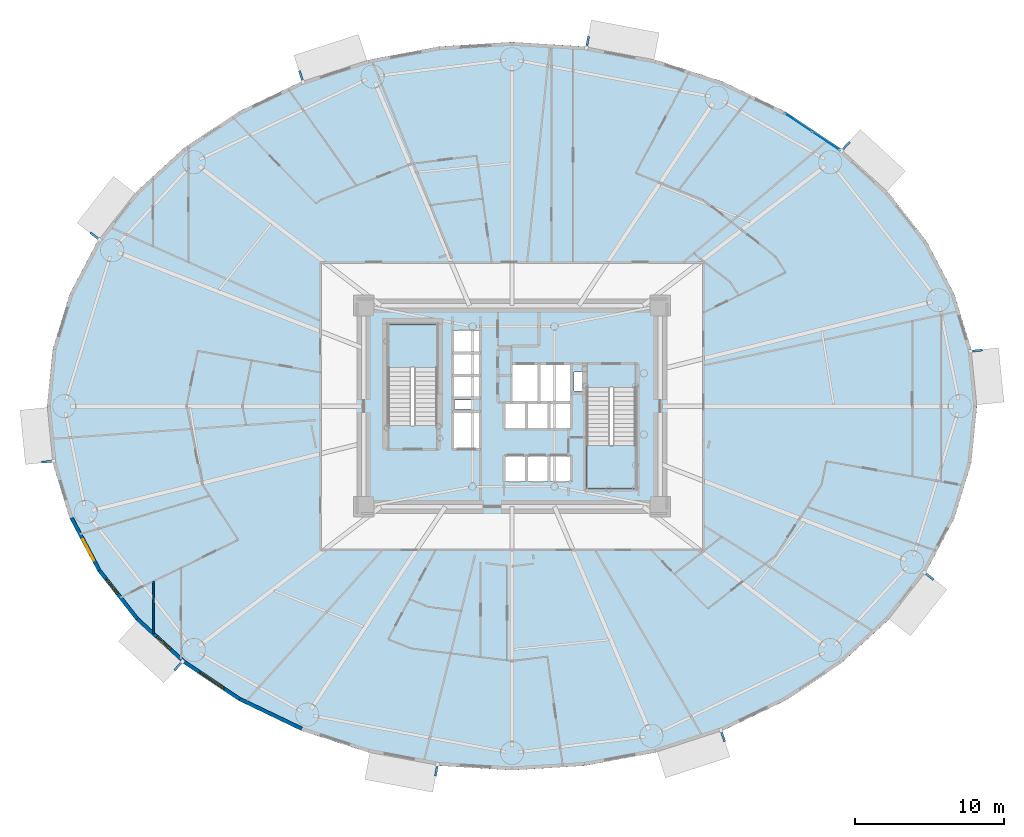
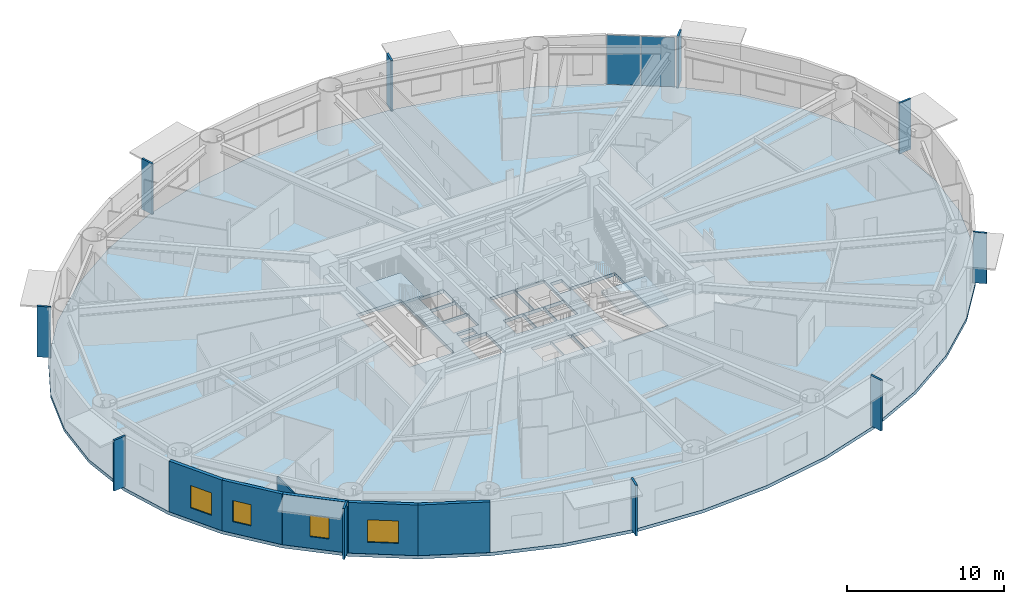
# One storey, part 6 of 20: 12 plates, 6 walls, 4 windows, 3 slabs, 4 openings, 3 elements without a shape of their own.
"""IFC4 building model written with IfcOpenShell, lengths in metres."""

from ifc_helpers import new_model, si_unit, direction, frame, frame_2d, origin, origin_2d, place, context, subcontext, project, spatial, polyline, rectangle, outline, extrude, source, transform, mapped, material, layer, layer_set, type_object, element, fill, aggregate, save


model = new_model("IFC4")

# Units and contexts
model_context = context("Model", 3, precision=1e-05, world=origin(), true_north=direction((0.0, 1.0)))
body_context = subcontext(model_context, "Body", "Model", "MODEL_VIEW")
ifc_project = project(units=[si_unit("LENGTHUNIT", "METRE"), si_unit("AREAUNIT", "SQUARE_METRE"), si_unit("VOLUMEUNIT", "CUBIC_METRE"), si_unit("PLANEANGLEUNIT", "RADIAN"), si_unit("MASSUNIT", "GRAM", prefix="KILO")], contexts=[model_context])

# Site, building, storey
site_placement = place(None, origin())
site = spatial("IfcSite", under=ifc_project, at=site_placement, CompositionType="ELEMENT")
building_placement = place(site_placement, origin())
building = spatial("IfcBuilding", under=site, at=building_placement, Name="Linh Dai School and Residence Tower", CompositionType="ELEMENT")
storey_placement = place(building_placement, frame((0.0, 0.0, 66.0)))
storey = spatial("IfcBuildingStorey", under=building, at=storey_placement, Name="L15", CompositionType="ELEMENT", Elevation=66.0)

# Slab
ifc_material_1 = material(Name="Concrete B45 (C35/45)", Category="concrete")
ifc_layer_1 = layer(ifc_material_1, 0.25)
ifc_layer_set_1 = layer_set([ifc_layer_1], Name="Concrete B45 (C35/45)")
slab_type_1 = type_object("IfcSlabType", Name="SLB-FLR250", PredefinedType="FLOOR", material=ifc_layer_set_1)
slab_1_placement = place(storey_placement, frame((0.0, 0.0, -0.25)))
element("IfcSlab", 1, at=slab_1_placement, inside=storey, type_object=slab_type_1, Name="L15 Composite Structural Floor Slab", PredefinedType="FLOOR", context=body_context, shape_type="SweptSolid", body=[
    extrude(outline(polyline([(67.199951171875, 27.0), (66.81591796875, 30.82177734375), (65.6728515625, 34.54931640625), (63.79931640625, 38.091064453125), (61.2412109375, 41.359619140625), (58.061767578125, 44.274658203125), (54.3388671875, 46.764404296875), (50.16455078125, 48.767333984375), (45.641357421875, 50.234375), (40.880859375, 51.129150390625), (36.0, 51.429931640625), (31.119140625, 51.129150390625), (26.358642578125, 50.234375), (21.83544921875, 48.767333984375), (17.6611328125, 46.764404296875), (13.938232421875, 44.274658203125), (10.7587890625, 41.359619140625), (8.20068359375, 38.091064453125), (6.3271484375, 34.54931640625), (5.18408203125, 30.82177734375), (4.800048828125, 27.0), (5.18408203125, 23.17822265625), (6.3271484375, 19.45068359375), (8.20068359375, 15.908935546875), (10.7587890625, 12.640380859375), (13.938232421875, 9.725341796875), (17.6611328125, 7.235595703125), (21.83544921875, 5.232666015625), (26.358642578125, 3.765625), (31.119140625, 2.870849609375), (36.0, 2.570068359375), (40.880859375, 2.870849609375), (45.641357421875, 3.765625), (50.16455078125, 5.232666015625), (54.3388671875, 7.235595703125), (58.061767578125, 9.725341796875), (61.2412109375, 12.640380859375), (63.79931640625, 15.908935546875), (65.6728515625, 19.45068359375), (66.81591796875, 23.17822265625), (67.199951171875, 27.0)]), holes=[polyline([(30.97998046875, 25.699951171875), (30.97998046875, 32.5), (27.679931640625, 32.5), (27.679931640625, 25.699951171875), (30.97998046875, 25.699951171875)]), polyline([(41.02001953125, 28.25), (41.02001953125, 21.449951171875), (44.320068359375, 21.449951171875), (44.320068359375, 28.25), (41.02001953125, 28.25)]), polyline([(35.97998046875, 27.280029296875), (37.77001953125, 27.280029296875), (37.77001953125, 29.820068359375), (35.97998046875, 29.820068359375), (35.97998046875, 27.280029296875)]), polyline([(32.030029296875, 24.1298828125), (33.8701171875, 24.1298828125), (33.8701171875, 26.6201171875), (32.030029296875, 26.6201171875), (32.030029296875, 24.1298828125)]), polyline([(37.830078125, 27.280029296875), (39.969970703125, 27.280029296875), (39.969970703125, 29.820068359375), (37.830078125, 29.820068359375), (37.830078125, 27.280029296875)]), polyline([(35.47998046875, 21.929931640625), (36.929931640625, 21.929931640625), (36.929931640625, 23.669921875), (35.47998046875, 23.669921875), (35.47998046875, 21.929931640625)]), polyline([(36.989990234375, 21.929931640625), (38.449951171875, 21.929931640625), (38.449951171875, 23.669921875), (36.989990234375, 23.669921875), (36.989990234375, 21.929931640625)]), polyline([(38.510009765625, 21.929931640625), (39.969970703125, 21.929931640625), (39.969970703125, 23.669921875), (38.510009765625, 23.669921875), (38.510009765625, 21.929931640625)]), polyline([(32.030029296875, 27.580078125), (33.8701171875, 27.580078125), (33.8701171875, 29.030029296875), (32.030029296875, 29.030029296875), (32.030029296875, 27.580078125)]), polyline([(32.030029296875, 29.090087890625), (33.8701171875, 29.090087890625), (33.8701171875, 30.550048828125), (32.030029296875, 30.550048828125), (32.030029296875, 29.090087890625)]), polyline([(32.030029296875, 30.610107421875), (33.8701171875, 30.610107421875), (33.8701171875, 32.070068359375), (32.030029296875, 32.070068359375), (32.030029296875, 30.610107421875)]), polyline([(35.47998046875, 25.47998046875), (36.929931640625, 25.47998046875), (36.929931640625, 27.219970703125), (35.47998046875, 27.219970703125), (35.47998046875, 25.47998046875)]), polyline([(36.989990234375, 25.47998046875), (38.449951171875, 25.47998046875), (38.449951171875, 27.219970703125), (36.989990234375, 27.219970703125), (36.989990234375, 25.47998046875)]), polyline([(38.510009765625, 25.47998046875), (39.969970703125, 25.47998046875), (39.969970703125, 27.219970703125), (38.510009765625, 27.219970703125), (38.510009765625, 25.47998046875)]), polyline([(40.14990234375, 28.0), (40.14990234375, 29.300048828125), (41.0, 29.300048828125), (41.0, 28.280029296875), (40.989990234375, 28.280029296875), (40.989990234375, 28.0), (40.14990234375, 28.0)]), polyline([(32.14990234375, 26.800048828125), (33.35009765625, 26.800048828125), (33.35009765625, 27.39990234375), (32.14990234375, 27.39990234375), (32.14990234375, 26.800048828125)])]), origin(), (0.0, 0.0, 1.0), 0.25),
])

# Stair, slab
stair_type = type_object("IfcStairType", Name="ST-DOG-1550-R1500", PredefinedType="HALF_TURN_STAIR", material=ifc_material_1)
stair_1_placement = place(storey_placement, origin())
stair_1 = element("IfcStair", 2, at=stair_1_placement, inside=storey, type_object=stair_type, Name="L15 Core Smokeproof Exit Stair ST1", PredefinedType="HALF_TURN_STAIR")
ifc_layer_2 = layer(ifc_material_1, 0.199951171875)
ifc_layer_set_2 = layer_set([ifc_layer_2], Name="Concrete B45 (C35/45)")
slab_type_2 = type_object("IfcSlabType", Name="SLB-ST-LANDING-200", PredefinedType="LANDING", material=ifc_layer_set_2)
slab_2_placement = place(storey_placement, frame((0.0, 0.0, 1.89990234375)))
slab_2 = element("IfcSlab", 3, at=slab_2_placement, type_object=slab_type_2, Name="ST1 landing 1", PredefinedType="LANDING", context=body_context, shape_type="SweptSolid", body=[
    extrude(outline(polyline([(30.97998046875, 29.60009765625), (30.97998046875, 32.5), (27.679931640625, 32.5), (27.679931640625, 29.60009765625), (30.97998046875, 29.60009765625)])), origin(), (0.0, 0.0, 1.0), 0.2001953125),
])
aggregate(stair_1, [slab_2])

stair_2_placement = place(storey_placement, origin())
stair_2 = element("IfcStair", 4, at=stair_2_placement, inside=storey, type_object=stair_type, Name="L15 Core Smokeproof Exit Stair ST2", PredefinedType="HALF_TURN_STAIR")
slab_3_placement = place(storey_placement, frame((0.0, 0.0, 1.89990234375)))
slab_3 = element("IfcSlab", 5, at=slab_3_placement, type_object=slab_type_2, Name="ST2 landing 1", PredefinedType="LANDING", context=body_context, shape_type="SweptSolid", body=[
    extrude(outline(polyline([(41.02001953125, 24.35009765625), (41.02001953125, 21.449951171875), (44.320068359375, 21.449951171875), (44.320068359375, 24.35009765625), (41.02001953125, 24.35009765625)])), origin(), (0.0, 0.0, 1.0), 0.2001953125),
])
aggregate(stair_2, [slab_3])

# Plates
ifc_material_2 = material(Name="Precast Concrete B45 (C35/45)", Category="concrete")
ifc_layer_3 = layer(ifc_material_2, 0.139892578125)
ifc_layer_set_3 = layer_set([ifc_layer_3], Name="Precast Concrete B45 (C35/45)")
plate_type_1 = type_object("IfcPlateType", Name="FIN-TC-900x140", PredefinedType="USERDEFINED", material=ifc_layer_set_3)
shared_shape_1 = source(origin(), body_context, "Body", "SweptSolid", [
    extrude(rectangle(XDim=0.89990234375, YDim=0.139892578125, at=origin_2d()), origin(), (0.0, 0.0, 1.0), 3.949951171875),
])
for number, where, z_axis, x_axis, name in (
    (6, (67.11328125, 30.718505859375, 0.0), (0.0, 0.0, 1.0), (0.994986493533, 0.100009387998, 0.0), "L15 Precast Terracotta Radial Fin 01"),
    (7, (58.35009765625, 44.397216796875, 0.0), (0.0, 0.0, 1.0), (0.675769237268, 0.737113246362, 0.0), "L15 Precast Terracotta Radial Fin 05"),
    (8, (41.05908203125, 51.385986328125, 0.0), (0.0, 0.0, 1.0), (0.184747948944, 0.982785935675, 0.0), "L15 Precast Terracotta Radial Fin 09"),
    (9, (21.869384765625, 49.078125, 0.0), (0.0, 0.0, 1.0), (-0.308510993844, 0.951220777043, 0.0), "L15 Precast Terracotta Radial Fin 13"),
    (10, (8.056396484375, 38.3701171875, 0.0), (0.0, 0.0, 1.0), (-0.787496262172, 0.616319427785, 0.0), "L15 Precast Terracotta Radial Fin 17"),
    (11, (4.88671875, 23.281494140625, 0.0), (0.0, 0.0, 1.0), (-0.994986493533, -0.100009387998, 0.0), "L15 Precast Terracotta Radial Fin 21"),
    (12, (13.64990234375, 9.602783203125, 0.0), (0.0, 0.0, 1.0), (-0.675769237268, -0.737113246362, 0.0), "L15 Precast Terracotta Radial Fin 25"),
    (13, (30.94091796875, 2.614013671875, 0.0), (0.0, 0.0, 1.0), (-0.184747948944, -0.982785935675, 0.0), "L15 Precast Terracotta Radial Fin 29"),
    (14, (50.130615234375, 4.921875, 0.0), (0.0, 0.0, 1.0), (0.308510993844, -0.951220777043, 0.0), "L15 Precast Terracotta Radial Fin 33"),
    (15, (63.943603515625, 15.6298828125, 0.0), (0.0, 0.0, 1.0), (0.787496262172, -0.616319427785, 0.0), "L15 Precast Terracotta Radial Fin 37"),
):
    element("IfcPlate", number, at=place(storey_placement, frame(where, z_axis=z_axis, x_axis=x_axis)), inside=storey, type_object=plate_type_1, Name=name, ObjectType="RADIAL FIN", PredefinedType="USERDEFINED", context=body_context, shape_type="MappedRepresentation", body=[
        mapped(shared_shape_1, transform((0.0, 0.0, 0.0), x_axis=(1.0, 0.0, 0.0), y_axis=(0.0, 1.0, 0.0), z_axis=(0.0, 0.0, 1.0), scale=1.0)),
    ])

# Curtain wall, plates
ifc_material_3 = material(Name="Aluminium Anodised Curtain Wall", Category="aluminium")
ifc_layer_4 = layer(ifc_material_3, 0.14990234375)
ifc_layer_set_4 = layer_set([ifc_layer_4], Name="Aluminium Anodised Curtain Wall")
curtain_wall_type = type_object("IfcCurtainWallType", Name="CW-SYS-4", PredefinedType="USERDEFINED", material=ifc_layer_set_4)
curtain_wall_placement = place(storey_placement, origin())
curtain_wall = element("IfcCurtainWall", 16, at=curtain_wall_placement, inside=storey, type_object=curtain_wall_type, Name="L15 CW4 Curtain Wall 06", ObjectType="RIBBON CURTAIN WALL", PredefinedType="USERDEFINED")
ifc_material_4 = material(Name="Double Low-E Insulated Glazing", Category="glass")
ifc_layer_5 = layer(ifc_material_4, 0.02587890625)
ifc_layer_set_5 = layer_set([ifc_layer_5], Name="Double Low-E Insulated Glazing")
plate_type_2 = type_object("IfcPlateType", Name="CW-SYS-4-PAN", PredefinedType="CURTAIN_PANEL", material=ifc_layer_set_5)
shared_shape_2 = source(origin(), body_context, "Body", "SweptSolid", [
    extrude(rectangle(XDim=2.152099609375, YDim=0.02587890625, at=origin_2d()), origin(), (0.0, 0.0, 1.0), 3.845947265625),
])
plate_1_placement = place(storey_placement, frame((55.21484375, 46.028564453125, 0.05224609375), z_axis=(0.0, 0.0, 1.0), x_axis=(0.831250578927, -0.555897899828, 0.0)))
plate_1 = element("IfcPlate", 17, at=plate_1_placement, type_object=plate_type_2, Name="CW4 panel 1.1", PredefinedType="CURTAIN_PANEL", context=body_context, shape_type="MappedRepresentation", body=[
    mapped(shared_shape_2, transform((0.0, 0.0, 0.0), x_axis=(1.0, 0.0, 0.0), y_axis=(0.0, 1.0, 0.0), z_axis=(0.0, 0.0, 1.0), scale=1.0)),
])
plate_2_placement = place(storey_placement, frame((57.046875, 44.80322265625, 0.05224609375), z_axis=(0.0, 0.0, 1.0), x_axis=(0.831250578927, -0.555897899828, 0.0)))
plate_2 = element("IfcPlate", 18, at=plate_2_placement, type_object=plate_type_2, Name="CW4 panel 2.1", PredefinedType="CURTAIN_PANEL", context=body_context, shape_type="MappedRepresentation", body=[
    mapped(shared_shape_2, transform((0.0, 0.0, 0.0), x_axis=(1.0, 0.0, 0.0), y_axis=(0.0, 1.0, 0.0), z_axis=(0.0, 0.0, 1.0), scale=1.0)),
])
aggregate(curtain_wall, [plate_1, plate_2])

# Wall, opening, window
ifc_layer_6 = layer(ifc_material_2, 0.239990234375)
ifc_layer_set_6 = layer_set([ifc_layer_6], Name="Precast Concrete B45 (C35/45)")
wall_type_1 = type_object("IfcWallType", Name="EW-TC-240", PredefinedType="SOLIDWALL", material=ifc_layer_set_6)
wall_1_placement = place(storey_placement, frame((8.305419921875, 15.977294921875, 0.0), z_axis=(0.0, 0.0, 1.0), x_axis=(-0.467662443071, 0.883907144072, 0.0)))
wall_1 = element("IfcWall", 19, at=wall_1_placement, inside=storey, type_object=wall_type_1, Name="L15 Terracotta Exterior Wall 23", PredefinedType="SOLIDWALL", context=body_context, shape_type="SweptSolid", body=[
    extrude(rectangle(XDim=3.983642578125, YDim=0.239990234375, at=frame_2d((1.99169921875, 0.0))), origin(), (0.0, 0.0, 1.0), 3.949951171875),
])
opening_1_placement = place(wall_1_placement, frame((0.760498046875, 0.0, 0.89990234375)))
opening_1 = element("IfcOpeningElement", 20, at=opening_1_placement, cuts=wall_1, Name="Opening W2", PredefinedType="OPENING", context=body_context, shape_type="SweptSolid", body=[
    extrude(rectangle(XDim=1.60009765625, YDim=1.75, at=origin_2d()), frame((0.800048828125, 0.1298828125, 0.875), z_axis=(0.0, -1.0, 0.0), x_axis=(1.0, 0.0, 0.0)), (0.0, 0.0, 1.0), 0.260009765625),
])
window_type_1 = type_object("IfcWindowType", Name="WN-RES-1600x1750", PartitioningType="DOUBLE_PANEL_VERTICAL", PredefinedType="WINDOW", material=ifc_material_4)
shared_shape_3 = source(origin(), body_context, "Body", "SweptSolid", [
    extrude(rectangle(XDim=1.60009765625, YDim=1.75, at=origin_2d()), frame((0.800048828125, 0.030029296875, 0.875), z_axis=(0.0, -1.0, 0.0), x_axis=(1.0, 0.0, 0.0)), (0.0, 0.0, 1.0), 0.06005859375),
])
window_1_placement = place(opening_1_placement, origin())
window_1 = element("IfcWindow", 21, at=window_1_placement, inside=storey, type_object=window_type_1, Name="L15 Exterior Window 23.1", OverallHeight=1.75, OverallWidth=1.60009765625, PartitioningType="DOUBLE_PANEL_VERTICAL", PredefinedType="WINDOW", context=body_context, shape_type="MappedRepresentation", body=[
    mapped(shared_shape_3, transform((0.0, 0.0, 0.0), x_axis=(1.0, 0.0, 0.0), y_axis=(0.0, 1.0, 0.0), z_axis=(0.0, 0.0, 1.0), scale=1.0)),
])
fill(opening_1, window_1)

wall_2_placement = place(storey_placement, frame((10.850341796875, 12.725341796875, 0.0), z_axis=(0.0, 0.0, 1.0), x_axis=(-0.616295508253, 0.787514981767, 0.0)))
wall_2 = element("IfcWall", 22, at=wall_2_placement, inside=storey, type_object=wall_type_1, Name="L15 Terracotta Exterior Wall 24", PredefinedType="SOLIDWALL", context=body_context, shape_type="SweptSolid", body=[
    extrude(rectangle(XDim=4.12939453125, YDim=0.239990234375, at=frame_2d((2.064697265625, 0.0))), origin(), (0.0, 0.0, 1.0), 3.949951171875),
])
opening_2_placement = place(wall_2_placement, frame((2.14501953125, 0.0, 0.89990234375)))
opening_2 = element("IfcOpeningElement", 23, at=opening_2_placement, cuts=wall_2, Name="Opening W3", PredefinedType="OPENING", context=body_context, shape_type="SweptSolid", body=[
    extrude(rectangle(XDim=1.25, YDim=1.64990234375, at=origin_2d()), frame((0.625, 0.1298828125, 0.824951171875), z_axis=(0.0, -1.0, 0.0), x_axis=(1.0, 0.0, 0.0)), (0.0, 0.0, 1.0), 0.260009765625),
])
window_type_2 = type_object("IfcWindowType", Name="WN-RES-1250x1650", PartitioningType="SINGLE_PANEL", PredefinedType="WINDOW", material=ifc_material_4)
shared_shape_4 = source(origin(), body_context, "Body", "SweptSolid", [
    extrude(rectangle(XDim=1.25, YDim=1.64990234375, at=origin_2d()), frame((0.625, 0.030029296875, 0.824951171875), z_axis=(0.0, -1.0, 0.0), x_axis=(1.0, 0.0, 0.0)), (0.0, 0.0, 1.0), 0.06005859375),
])
window_2_placement = place(opening_2_placement, origin())
window_2 = element("IfcWindow", 24, at=window_2_placement, inside=storey, type_object=window_type_2, Name="L15 Exterior Window 24.1", OverallHeight=1.64990234375, OverallWidth=1.25, PartitioningType="SINGLE_PANEL", PredefinedType="WINDOW", context=body_context, shape_type="MappedRepresentation", body=[
    mapped(shared_shape_4, transform((0.0, 0.0, 0.0), x_axis=(1.0, 0.0, 0.0), y_axis=(0.0, 1.0, 0.0), z_axis=(0.0, 0.0, 1.0), scale=1.0)),
])
fill(opening_2, window_2)

wall_3_placement = place(storey_placement, frame((14.015380859375, 9.82373046875, 0.0), z_axis=(0.0, 0.0, 1.0), x_axis=(-0.737116376281, 0.67576582321, 0.0)))
wall_3 = element("IfcWall", 25, at=wall_3_placement, inside=storey, type_object=wall_type_1, Name="L15 Terracotta Exterior Wall 25", PredefinedType="SOLIDWALL", context=body_context, shape_type="SweptSolid", body=[
    extrude(rectangle(XDim=4.293701171875, YDim=0.239990234375, at=frame_2d((2.14697265625, 0.0))), origin(), (0.0, 0.0, 1.0), 3.949951171875),
])
opening_3_placement = place(wall_3_placement, frame((1.25, 0.0, 0.89990234375)))
opening_3 = element("IfcOpeningElement", 26, at=opening_3_placement, cuts=wall_3, Name="Opening W3", PredefinedType="OPENING", context=body_context, shape_type="SweptSolid", body=[
    extrude(rectangle(XDim=1.25, YDim=1.64990234375, at=origin_2d()), frame((0.625, 0.1298828125, 0.824951171875), z_axis=(0.0, -1.0, 0.0), x_axis=(1.0, 0.0, 0.0)), (0.0, 0.0, 1.0), 0.260009765625),
])
window_3_placement = place(opening_3_placement, origin())
window_3 = element("IfcWindow", 27, at=window_3_placement, inside=storey, type_object=window_type_2, Name="L15 Exterior Window 25.1", OverallHeight=1.64990234375, OverallWidth=1.25, PartitioningType="SINGLE_PANEL", PredefinedType="WINDOW", context=body_context, shape_type="MappedRepresentation", body=[
    mapped(shared_shape_4, transform((0.0, 0.0, 0.0), x_axis=(1.0, 0.0, 0.0), y_axis=(0.0, 1.0, 0.0), z_axis=(0.0, 0.0, 1.0), scale=1.0)),
])
fill(opening_3, window_3)

wall_4_placement = place(storey_placement, frame((17.722900390625, 7.34423828125, 0.0), z_axis=(0.0, 0.0, 1.0), x_axis=(-0.831240982525, 0.555912249343, 0.0)))
wall_4 = element("IfcWall", 28, at=wall_4_placement, inside=storey, type_object=wall_type_1, Name="L15 Terracotta Exterior Wall 26", PredefinedType="SOLIDWALL", context=body_context, shape_type="SweptSolid", body=[
    extrude(rectangle(XDim=4.460205078125, YDim=0.239990234375, at=frame_2d((2.22998046875, 0.0))), origin(), (0.0, 0.0, 1.0), 3.949951171875),
])
opening_4_placement = place(wall_4_placement, frame((1.22998046875, 0.0, 0.89990234375)))
opening_4 = element("IfcOpeningElement", 29, at=opening_4_placement, cuts=wall_4, Name="Opening W1", PredefinedType="OPENING", context=body_context, shape_type="SweptSolid", body=[
    extrude(rectangle(XDim=2.0, YDim=1.75, at=origin_2d()), frame((1.0, 0.1298828125, 0.875), z_axis=(0.0, -1.0, 0.0), x_axis=(1.0, 0.0, 0.0)), (0.0, 0.0, 1.0), 0.260009765625),
])
window_type_3 = type_object("IfcWindowType", Name="WN-RES-2000x1750", PartitioningType="DOUBLE_PANEL_VERTICAL", PredefinedType="WINDOW", material=ifc_material_4)
shared_shape_5 = source(origin(), body_context, "Body", "SweptSolid", [
    extrude(rectangle(XDim=2.0, YDim=1.75, at=origin_2d()), frame((1.0, 0.030029296875, 0.875), z_axis=(0.0, -1.0, 0.0), x_axis=(1.0, 0.0, 0.0)), (0.0, 0.0, 1.0), 0.06005859375),
])
window_4_placement = place(opening_4_placement, origin())
window_4 = element("IfcWindow", 30, at=window_4_placement, inside=storey, type_object=window_type_3, Name="L15 Exterior Window 26.1", OverallHeight=1.75, OverallWidth=2.0, PartitioningType="DOUBLE_PANEL_VERTICAL", PredefinedType="WINDOW", context=body_context, shape_type="MappedRepresentation", body=[
    mapped(shared_shape_5, transform((0.0, 0.0, 0.0), x_axis=(1.0, 0.0, 0.0), y_axis=(0.0, 1.0, 0.0), z_axis=(0.0, 0.0, 1.0), scale=1.0)),
])
fill(opening_4, window_4)

# Walls
wall_5_placement = place(storey_placement, frame((21.8818359375, 5.348876953125, 0.0), z_axis=(0.0, 0.0, 1.0), x_axis=(-0.901601503137, 0.432567601123, 0.0)))
element("IfcWall", 31, at=wall_5_placement, inside=storey, type_object=wall_type_1, Name="L15 Terracotta Exterior Wall 27", PredefinedType="SOLIDWALL", context=body_context, shape_type="SweptSolid", body=[
    extrude(rectangle(XDim=4.61279296875, YDim=0.239990234375, at=frame_2d((2.306396484375, 0.0))), origin(), (0.0, 0.0, 1.0), 3.949951171875),
])
ifc_material_5 = material(Name="Gypsum Plasterboard Acoustic Stud Partition", Category="masonry")
ifc_layer_7 = layer(ifc_material_5, 0.10009765625)
ifc_layer_set_7 = layer_set([ifc_layer_7], Name="Gypsum Plasterboard Acoustic Stud Partition")
wall_type_2 = type_object("IfcWallType", Name="IW-UNIT-100", PredefinedType="PARTITIONING", material=ifc_layer_set_7)
wall_6_placement = place(storey_placement, frame((11.934814453125, 11.724365234375, 0.0), z_axis=(0.0, 0.0, 1.0), x_axis=(0.0, 1.0, 0.0)))
element("IfcWall", 32, at=wall_6_placement, inside=storey, type_object=wall_type_2, Name="L15 Interior Partition Wall 006", PredefinedType="PARTITIONING", context=body_context, shape_type="SweptSolid", body=[
    extrude(rectangle(XDim=3.520751953125, YDim=0.10009765625, at=frame_2d((1.76025390625, 0.0))), origin(), (0.0, 0.0, 1.0), 3.3349609375),
])

save(model, "model.ifc")
